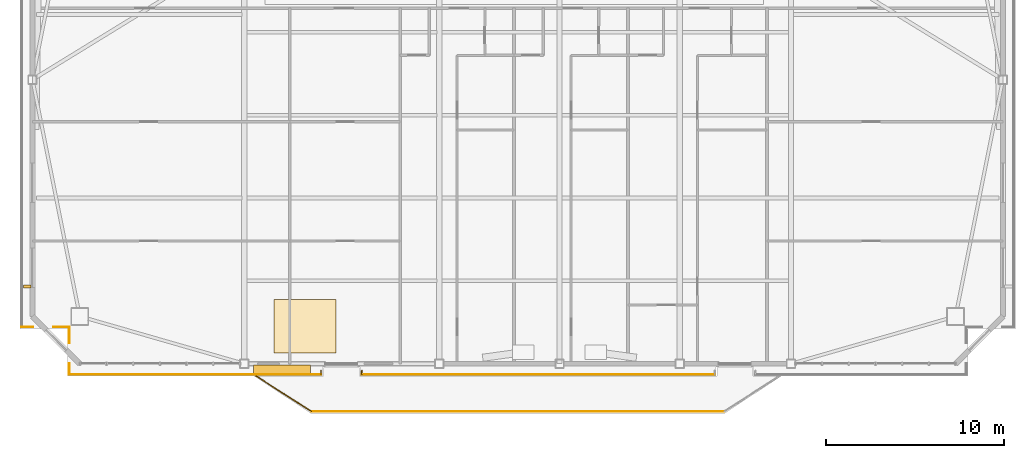
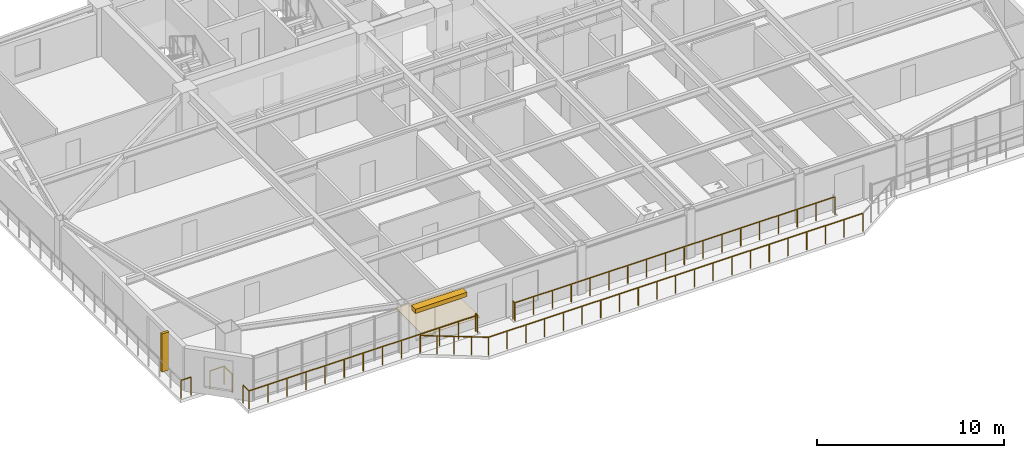
# One storey, part 14 of 19: 10 railings, 2 shading devices, 1 covering.
"""IFC4 building model written with IfcOpenShell, lengths in metres."""

from ifc_helpers import new_model, si_unit, direction, frame, origin, origin_2d, place, context, subcontext, project, spatial, polyline, rectangle, outline, extrude, source, transform, mapped, material, layer, layer_set, type_object, element, save


model = new_model("IFC4")

# Units and contexts
model_context = context("Model", 3, precision=1e-05, world=origin(), true_north=direction((0.0, 1.0)))
body_context = subcontext(model_context, "Body", "Model", "MODEL_VIEW")
ifc_project = project(units=[si_unit("LENGTHUNIT", "METRE"), si_unit("AREAUNIT", "SQUARE_METRE"), si_unit("VOLUMEUNIT", "CUBIC_METRE"), si_unit("PLANEANGLEUNIT", "RADIAN"), si_unit("MASSUNIT", "GRAM", prefix="KILO")], contexts=[model_context])

# Site, building, storey
site_placement = place(None, origin())
site = spatial("IfcSite", under=ifc_project, at=site_placement, CompositionType="ELEMENT")
building_placement = place(site_placement, origin())
building = spatial("IfcBuilding", under=site, at=building_placement, Name="Giltprow Tower", CompositionType="ELEMENT")
storey_placement = place(building_placement, frame((0.0, 0.0, 241.699951171875)))
storey = spatial("IfcBuildingStorey", under=building, at=storey_placement, Name="L61", CompositionType="ELEMENT", Elevation=241.699951171875)

# Covering
ifc_material_1 = material(Name="Engineered oak", Category="wood")
ifc_layer = layer(ifc_material_1, 0.02490234375, Name="Engineered oak")
ifc_layer_set = layer_set([ifc_layer], Name="Engineered oak")
covering_type = type_object("IfcCoveringType", Name="COV-FLR-TIMBER", PredefinedType="FLOORING", material=ifc_layer_set)
covering_placement = place(storey_placement, origin())
element("IfcCovering", 1, at=covering_placement, inside=storey, type_object=covering_type, Name="L61 Residence Oak Parquet Flooring", PredefinedType="FLOORING", context=body_context, shape_type="SweptSolid", body=[
    extrude(outline(polyline([(21.5, 14.781982421875), (25.0, 14.781982421875), (25.0, 17.781982421875), (21.5, 17.781982421875), (21.5, 14.781982421875)])), origin(), (0.0, 0.0, 1.0), 0.025146484375),
])

# Railings
ifc_material_2 = material(Name="Anodized bronze", Category="metal")
railing_type = type_object("IfcRailingType", Name="RAIL-BALC-GUARD-1200", PredefinedType="BALUSTRADE", material=ifc_material_2)
railing_1_placement = place(storey_placement, frame((20.52001953125, 13.48193359375, 0.0)))
element("IfcRailing", 2, at=railing_1_placement, inside=storey, type_object=railing_type, Name="L61 Waterfront Balcony Balustrade Seg 1", PredefinedType="BALUSTRADE", context=body_context, shape_type="SweptSolid", body=[
    extrude(rectangle(XDim=0.048095703125, YDim=0.048095703125, at=origin_2d()), frame((0.0, 0.0, 1.17578125), z_axis=(0.84277487735, -0.538266203757, 0.0), x_axis=(0.538266203757, 0.84277487735, 0.0)), (0.0, 0.0, 1.0), 3.678466796875),
    extrude(rectangle(XDim=0.0419921875, YDim=0.0419921875, at=origin_2d()), origin(), (0.0, 0.0, 1.0), 1.15185546875),
    extrude(rectangle(XDim=0.0419921875, YDim=0.0419921875, at=origin_2d()), frame((0.77490234375, -0.4951171875, 0.0)), (0.0, 0.0, 1.0), 1.15185546875),
    extrude(rectangle(XDim=0.0419921875, YDim=0.0419921875, at=origin_2d()), frame((1.550048828125, -0.989990234375, 0.0)), (0.0, 0.0, 1.0), 1.15185546875),
    extrude(rectangle(XDim=0.0419921875, YDim=0.0419921875, at=origin_2d()), frame((2.3251953125, -1.48486328125, 0.0)), (0.0, 0.0, 1.0), 1.15185546875),
    extrude(rectangle(XDim=0.0419921875, YDim=0.0419921875, at=origin_2d()), frame((3.10009765625, -1.97998046875, 0.0)), (0.0, 0.0, 1.0), 1.15185546875),
])
railing_2_placement = place(storey_placement, frame((23.6201171875, 11.501953125, 0.0)))
element("IfcRailing", 3, at=railing_2_placement, inside=storey, type_object=railing_type, Name="L61 Waterfront Balcony Balustrade Seg 2", PredefinedType="BALUSTRADE", context=body_context, shape_type="SweptSolid", body=[
    extrude(rectangle(XDim=0.048095703125, YDim=0.048095703125, at=origin_2d()), frame((0.0, 0.0, 1.17578125), z_axis=(1.0, 0.0, 0.0), x_axis=(0.0, 1.0, 0.0)), (0.0, 0.0, 1.0), 23.159912109375),
    extrude(rectangle(XDim=0.0419921875, YDim=0.0419921875, at=origin_2d()), origin(), (0.0, 0.0, 1.0), 1.15185546875),
    extrude(rectangle(XDim=0.0419921875, YDim=0.0419921875, at=origin_2d()), frame((1.157958984375, 0.0, 0.0)), (0.0, 0.0, 1.0), 1.15185546875),
    extrude(rectangle(XDim=0.0419921875, YDim=0.0419921875, at=origin_2d()), frame((2.31591796875, 0.0, 0.0)), (0.0, 0.0, 1.0), 1.15185546875),
    extrude(rectangle(XDim=0.0419921875, YDim=0.0419921875, at=origin_2d()), frame((3.473876953125, 0.0, 0.0)), (0.0, 0.0, 1.0), 1.15185546875),
    extrude(rectangle(XDim=0.0419921875, YDim=0.0419921875, at=origin_2d()), frame((4.632080078125, 0.0, 0.0)), (0.0, 0.0, 1.0), 1.15185546875),
    extrude(rectangle(XDim=0.0419921875, YDim=0.0419921875, at=origin_2d()), frame((5.7900390625, 0.0, 0.0)), (0.0, 0.0, 1.0), 1.15185546875),
    extrude(rectangle(XDim=0.0419921875, YDim=0.0419921875, at=origin_2d()), frame((6.947998046875, 0.0, 0.0)), (0.0, 0.0, 1.0), 1.15185546875),
    extrude(rectangle(XDim=0.0419921875, YDim=0.0419921875, at=origin_2d()), frame((8.10595703125, 0.0, 0.0)), (0.0, 0.0, 1.0), 1.15185546875),
    extrude(rectangle(XDim=0.0419921875, YDim=0.0419921875, at=origin_2d()), frame((9.263916015625, 0.0, 0.0)), (0.0, 0.0, 1.0), 1.15185546875),
    extrude(rectangle(XDim=0.0419921875, YDim=0.0419921875, at=origin_2d()), frame((10.421875, 0.0, 0.0)), (0.0, 0.0, 1.0), 1.15185546875),
    extrude(rectangle(XDim=0.0419921875, YDim=0.0419921875, at=origin_2d()), frame((11.580078125, 0.0, 0.0)), (0.0, 0.0, 1.0), 1.15185546875),
    extrude(rectangle(XDim=0.0419921875, YDim=0.0419921875, at=origin_2d()), frame((12.738037109375, 0.0, 0.0)), (0.0, 0.0, 1.0), 1.15185546875),
    extrude(rectangle(XDim=0.0419921875, YDim=0.0419921875, at=origin_2d()), frame((13.89599609375, 0.0, 0.0)), (0.0, 0.0, 1.0), 1.15185546875),
    extrude(rectangle(XDim=0.0419921875, YDim=0.0419921875, at=origin_2d()), frame((15.053955078125, 0.0, 0.0)), (0.0, 0.0, 1.0), 1.15185546875),
    extrude(rectangle(XDim=0.0419921875, YDim=0.0419921875, at=origin_2d()), frame((16.2119140625, 0.0, 0.0)), (0.0, 0.0, 1.0), 1.15185546875),
    extrude(rectangle(XDim=0.0419921875, YDim=0.0419921875, at=origin_2d()), frame((17.369873046875, 0.0, 0.0)), (0.0, 0.0, 1.0), 1.15185546875),
    extrude(rectangle(XDim=0.0419921875, YDim=0.0419921875, at=origin_2d()), frame((18.52783203125, 0.0, 0.0)), (0.0, 0.0, 1.0), 1.15185546875),
    extrude(rectangle(XDim=0.0419921875, YDim=0.0419921875, at=origin_2d()), frame((19.68603515625, 0.0, 0.0)), (0.0, 0.0, 1.0), 1.15185546875),
    extrude(rectangle(XDim=0.0419921875, YDim=0.0419921875, at=origin_2d()), frame((20.843994140625, 0.0, 0.0)), (0.0, 0.0, 1.0), 1.15185546875),
    extrude(rectangle(XDim=0.0419921875, YDim=0.0419921875, at=origin_2d()), frame((22.001953125, 0.0, 0.0)), (0.0, 0.0, 1.0), 1.15185546875),
    extrude(rectangle(XDim=0.0419921875, YDim=0.0419921875, at=origin_2d()), frame((23.159912109375, 0.0, 0.0)), (0.0, 0.0, 1.0), 1.15185546875),
])
railing_3_placement = place(storey_placement, frame((46.25, 13.58203125, 0.0)))
element("IfcRailing", 4, at=railing_3_placement, inside=storey, type_object=railing_type, Name="L61 Corner Apron Edge Balustrade 9", PredefinedType="BALUSTRADE", context=body_context, shape_type="SweptSolid", body=[
    extrude(rectangle(XDim=0.048095703125, YDim=0.048095703125, at=origin_2d()), frame((0.0, 0.0, 1.17578125), z_axis=(-1.0, 0.0, 0.0), x_axis=(0.0, -1.0, 0.0)), (0.0, 0.0, 1.0), 19.800048828125),
    extrude(rectangle(XDim=0.0419921875, YDim=0.0419921875, at=origin_2d()), origin(), (0.0, 0.0, 1.0), 1.15185546875),
    extrude(rectangle(XDim=0.0419921875, YDim=0.0419921875, at=origin_2d()), frame((-1.164794921875, 0.0, 0.0)), (0.0, 0.0, 1.0), 1.15185546875),
    extrude(rectangle(XDim=0.0419921875, YDim=0.0419921875, at=origin_2d()), frame((-2.329345703125, 0.0, 0.0)), (0.0, 0.0, 1.0), 1.15185546875),
    extrude(rectangle(XDim=0.0419921875, YDim=0.0419921875, at=origin_2d()), frame((-3.494140625, 0.0, 0.0)), (0.0, 0.0, 1.0), 1.15185546875),
    extrude(rectangle(XDim=0.0419921875, YDim=0.0419921875, at=origin_2d()), frame((-4.658935546875, 0.0, 0.0)), (0.0, 0.0, 1.0), 1.15185546875),
    extrude(rectangle(XDim=0.0419921875, YDim=0.0419921875, at=origin_2d()), frame((-5.823486328125, 0.0, 0.0)), (0.0, 0.0, 1.0), 1.15185546875),
    extrude(rectangle(XDim=0.0419921875, YDim=0.0419921875, at=origin_2d()), frame((-6.98828125, 0.0, 0.0)), (0.0, 0.0, 1.0), 1.15185546875),
    extrude(rectangle(XDim=0.0419921875, YDim=0.0419921875, at=origin_2d()), frame((-8.153076171875, 0.0, 0.0)), (0.0, 0.0, 1.0), 1.15185546875),
    extrude(rectangle(XDim=0.0419921875, YDim=0.0419921875, at=origin_2d()), frame((-9.317626953125, 0.0, 0.0)), (0.0, 0.0, 1.0), 1.15185546875),
    extrude(rectangle(XDim=0.0419921875, YDim=0.0419921875, at=origin_2d()), frame((-10.482421875, 0.0, 0.0)), (0.0, 0.0, 1.0), 1.15185546875),
    extrude(rectangle(XDim=0.0419921875, YDim=0.0419921875, at=origin_2d()), frame((-11.64697265625, 0.0, 0.0)), (0.0, 0.0, 1.0), 1.15185546875),
    extrude(rectangle(XDim=0.0419921875, YDim=0.0419921875, at=origin_2d()), frame((-12.811767578125, 0.0, 0.0)), (0.0, 0.0, 1.0), 1.15185546875),
    extrude(rectangle(XDim=0.0419921875, YDim=0.0419921875, at=origin_2d()), frame((-13.9765625, 0.0, 0.0)), (0.0, 0.0, 1.0), 1.15185546875),
    extrude(rectangle(XDim=0.0419921875, YDim=0.0419921875, at=origin_2d()), frame((-15.14111328125, 0.0, 0.0)), (0.0, 0.0, 1.0), 1.15185546875),
    extrude(rectangle(XDim=0.0419921875, YDim=0.0419921875, at=origin_2d()), frame((-16.305908203125, 0.0, 0.0)), (0.0, 0.0, 1.0), 1.15185546875),
    extrude(rectangle(XDim=0.0419921875, YDim=0.0419921875, at=origin_2d()), frame((-17.470703125, 0.0, 0.0)), (0.0, 0.0, 1.0), 1.15185546875),
    extrude(rectangle(XDim=0.0419921875, YDim=0.0419921875, at=origin_2d()), frame((-18.63525390625, 0.0, 0.0)), (0.0, 0.0, 1.0), 1.15185546875),
    extrude(rectangle(XDim=0.0419921875, YDim=0.0419921875, at=origin_2d()), frame((-19.800048828125, 0.0, 0.0)), (0.0, 0.0, 1.0), 1.15185546875),
])
railing_4_placement = place(storey_placement, frame((26.449951171875, 13.58203125, 0.0)))
element("IfcRailing", 5, at=railing_4_placement, inside=storey, type_object=railing_type, Name="L61 Corner Apron Edge Balustrade 10", PredefinedType="BALUSTRADE", context=body_context, shape_type="SweptSolid", body=[
    extrude(rectangle(XDim=0.048095703125, YDim=0.048095703125, at=origin_2d()), frame((0.0, 0.0, 1.17578125), z_axis=(0.0, 1.0, 0.0), x_axis=(-1.0, 0.0, 0.0)), (0.0, 0.0, 1.0), 0.199951171875),
    extrude(rectangle(XDim=0.0419921875, YDim=0.0419921875, at=origin_2d()), origin(), (0.0, 0.0, 1.0), 1.15185546875),
    extrude(rectangle(XDim=0.0419921875, YDim=0.0419921875, at=origin_2d()), frame((0.0, 0.199951171875, 0.0)), (0.0, 0.0, 1.0), 1.15185546875),
])
railing_5_placement = place(storey_placement, frame((24.14990234375, 13.781982421875, 0.0)))
element("IfcRailing", 6, at=railing_5_placement, inside=storey, type_object=railing_type, Name="L61 Corner Apron Edge Balustrade 11", PredefinedType="BALUSTRADE", context=body_context, shape_type="SweptSolid", body=[
    extrude(rectangle(XDim=0.048095703125, YDim=0.048095703125, at=origin_2d()), frame((0.0, 0.0, 1.17578125), z_axis=(0.0, -1.0, 0.0), x_axis=(1.0, 0.0, 0.0)), (0.0, 0.0, 1.0), 0.199951171875),
    extrude(rectangle(XDim=0.0419921875, YDim=0.0419921875, at=origin_2d()), origin(), (0.0, 0.0, 1.0), 1.15185546875),
    extrude(rectangle(XDim=0.0419921875, YDim=0.0419921875, at=origin_2d()), frame((0.0, -0.199951171875, 0.0)), (0.0, 0.0, 1.0), 1.15185546875),
])
railing_6_placement = place(storey_placement, frame((24.14990234375, 13.58203125, 0.0)))
element("IfcRailing", 7, at=railing_6_placement, inside=storey, type_object=railing_type, Name="L61 Corner Apron Edge Balustrade 12", PredefinedType="BALUSTRADE", context=body_context, shape_type="SweptSolid", body=[
    extrude(rectangle(XDim=0.048095703125, YDim=0.048095703125, at=origin_2d()), frame((0.0, 0.0, 1.17578125), z_axis=(-1.0, 0.0, 0.0), x_axis=(0.0, -1.0, 0.0)), (0.0, 0.0, 1.0), 14.140869140625),
    extrude(rectangle(XDim=0.0419921875, YDim=0.0419921875, at=origin_2d()), origin(), (0.0, 0.0, 1.0), 1.15185546875),
    extrude(rectangle(XDim=0.0419921875, YDim=0.0419921875, at=origin_2d()), frame((-1.178466796875, 0.0, 0.0)), (0.0, 0.0, 1.0), 1.15185546875),
    extrude(rectangle(XDim=0.0419921875, YDim=0.0419921875, at=origin_2d()), frame((-2.35693359375, 0.0, 0.0)), (0.0, 0.0, 1.0), 1.15185546875),
    extrude(rectangle(XDim=0.0419921875, YDim=0.0419921875, at=origin_2d()), frame((-3.53515625, 0.0, 0.0)), (0.0, 0.0, 1.0), 1.15185546875),
    extrude(rectangle(XDim=0.0419921875, YDim=0.0419921875, at=origin_2d()), frame((-4.713623046875, 0.0, 0.0)), (0.0, 0.0, 1.0), 1.15185546875),
    extrude(rectangle(XDim=0.0419921875, YDim=0.0419921875, at=origin_2d()), frame((-5.89208984375, 0.0, 0.0)), (0.0, 0.0, 1.0), 1.15185546875),
    extrude(rectangle(XDim=0.0419921875, YDim=0.0419921875, at=origin_2d()), frame((-7.0703125, 0.0, 0.0)), (0.0, 0.0, 1.0), 1.15185546875),
    extrude(rectangle(XDim=0.0419921875, YDim=0.0419921875, at=origin_2d()), frame((-8.248779296875, 0.0, 0.0)), (0.0, 0.0, 1.0), 1.15185546875),
    extrude(rectangle(XDim=0.0419921875, YDim=0.0419921875, at=origin_2d()), frame((-9.42724609375, 0.0, 0.0)), (0.0, 0.0, 1.0), 1.15185546875),
    extrude(rectangle(XDim=0.0419921875, YDim=0.0419921875, at=origin_2d()), frame((-10.605712890625, 0.0, 0.0)), (0.0, 0.0, 1.0), 1.15185546875),
    extrude(rectangle(XDim=0.0419921875, YDim=0.0419921875, at=origin_2d()), frame((-11.7841796875, 0.0, 0.0)), (0.0, 0.0, 1.0), 1.15185546875),
    extrude(rectangle(XDim=0.0419921875, YDim=0.0419921875, at=origin_2d()), frame((-12.96240234375, 0.0, 0.0)), (0.0, 0.0, 1.0), 1.15185546875),
    extrude(rectangle(XDim=0.0419921875, YDim=0.0419921875, at=origin_2d()), frame((-14.140869140625, 0.0, 0.0)), (0.0, 0.0, 1.0), 1.15185546875),
])
railing_7_placement = place(storey_placement, frame((10.009033203125, 13.58203125, 0.0)))
element("IfcRailing", 8, at=railing_7_placement, inside=storey, type_object=railing_type, Name="L61 Corner Apron Edge Balustrade 13", PredefinedType="BALUSTRADE", context=body_context, shape_type="SweptSolid", body=[
    extrude(rectangle(XDim=0.048095703125, YDim=0.048095703125, at=origin_2d()), frame((0.0, 0.0, 1.17578125), z_axis=(0.0, 1.0, 0.0), x_axis=(-1.0, 0.0, 0.0)), (0.0, 0.0, 1.0), 0.619873046875),
    extrude(rectangle(XDim=0.0419921875, YDim=0.0419921875, at=origin_2d()), origin(), (0.0, 0.0, 1.0), 1.15185546875),
    extrude(rectangle(XDim=0.0419921875, YDim=0.0419921875, at=origin_2d()), frame((0.0, 0.619873046875, 0.0)), (0.0, 0.0, 1.0), 1.15185546875),
])
railing_8_placement = place(storey_placement, frame((10.009033203125, 15.362060546875, 0.0)))
element("IfcRailing", 9, at=railing_8_placement, inside=storey, type_object=railing_type, Name="L61 Corner Apron Edge Balustrade 14", PredefinedType="BALUSTRADE", context=body_context, shape_type="SweptSolid", body=[
    extrude(rectangle(XDim=0.048095703125, YDim=0.048095703125, at=origin_2d()), frame((0.0, 0.0, 1.17578125), z_axis=(0.0, 1.0, 0.0), x_axis=(-1.0, 0.0, 0.0)), (0.0, 0.0, 1.0), 0.880859375),
    extrude(rectangle(XDim=0.0419921875, YDim=0.0419921875, at=origin_2d()), origin(), (0.0, 0.0, 1.0), 1.15185546875),
    extrude(rectangle(XDim=0.0419921875, YDim=0.0419921875, at=origin_2d()), frame((0.0, 0.880859375, 0.0)), (0.0, 0.0, 1.0), 1.15185546875),
])
railing_9_placement = place(storey_placement, frame((10.009033203125, 16.242919921875, 0.0)))
element("IfcRailing", 10, at=railing_9_placement, inside=storey, type_object=railing_type, Name="L61 Corner Apron Edge Balustrade 15", PredefinedType="BALUSTRADE", context=body_context, shape_type="SweptSolid", body=[
    extrude(rectangle(XDim=0.048095703125, YDim=0.048095703125, at=origin_2d()), frame((0.0, 0.0, 1.17578125), z_axis=(-1.0, 0.0, 0.0), x_axis=(0.0, -1.0, 0.0)), (0.0, 0.0, 1.0), 0.881103515625),
    extrude(rectangle(XDim=0.0419921875, YDim=0.0419921875, at=origin_2d()), origin(), (0.0, 0.0, 1.0), 1.15185546875),
    extrude(rectangle(XDim=0.0419921875, YDim=0.0419921875, at=origin_2d()), frame((-0.881103515625, 0.0, 0.0)), (0.0, 0.0, 1.0), 1.15185546875),
])
railing_10_placement = place(storey_placement, frame((7.968017578125, 16.242919921875, 0.0)))
element("IfcRailing", 11, at=railing_10_placement, inside=storey, type_object=railing_type, Name="L61 Corner Apron Edge Balustrade 16", PredefinedType="BALUSTRADE", context=body_context, shape_type="SweptSolid", body=[
    extrude(rectangle(XDim=0.048095703125, YDim=0.048095703125, at=origin_2d()), frame((0.0, 0.0, 1.17578125), z_axis=(-1.0, 0.0, 0.0), x_axis=(0.0, -1.0, 0.0)), (0.0, 0.0, 1.0), 0.6201171875),
    extrude(rectangle(XDim=0.0419921875, YDim=0.0419921875, at=origin_2d()), origin(), (0.0, 0.0, 1.0), 1.15185546875),
    extrude(rectangle(XDim=0.0419921875, YDim=0.0419921875, at=origin_2d()), frame((-0.6201171875, 0.0, 0.0)), (0.0, 0.0, 1.0), 1.15185546875),
])

# Shading devices
shading_device_type_1 = type_object("IfcShadingDeviceType", Name="SHD-FIN-420", PredefinedType="USERDEFINED", material=ifc_material_2)
shared_shape_1 = source(origin(), body_context, "Body", "SweptSolid", [
    extrude(rectangle(XDim=0.419921875, YDim=0.159912109375, at=origin_2d()), origin(), (0.0, 0.0, 1.0), 2.5),
])
shading_device_1_placement = place(storey_placement, frame((7.64794921875, 18.51806640625, 0.35009765625), z_axis=(0.0, 0.0, 1.0), x_axis=(1.0, 0.0, 0.0)))
element("IfcShadingDevice", 12, at=shading_device_1_placement, inside=storey, type_object=shading_device_type_1, Name="L61 W Bronze Vertical Fin 1-1", ObjectType="FIN", PredefinedType="USERDEFINED", context=body_context, shape_type="MappedRepresentation", body=[
    mapped(shared_shape_1, transform((0.0, 0.0, 0.0), x_axis=(1.0, 0.0, 0.0), y_axis=(0.0, 1.0, 0.0), z_axis=(0.0, 0.0, 1.0), scale=1.0)),
])
shading_device_type_2 = type_object("IfcShadingDeviceType", Name="SHD-LOUVRE-320", PredefinedType="JALOUSIE", material=ifc_material_2)
shared_shape_2 = source(origin(), body_context, "Body", "SweptSolid", [
    extrude(rectangle(XDim=3.199951171875, YDim=0.449951171875, at=origin_2d()), origin(), (0.0, 0.0, 1.0), 0.280029296875),
])
shading_device_2_placement = place(storey_placement, frame((21.949951171875, 13.882080078125, 2.56005859375), z_axis=(0.0, 0.0, 1.0), x_axis=(1.0, 0.0, 0.0)))
element("IfcShadingDevice", 13, at=shading_device_2_placement, inside=storey, type_object=shading_device_type_2, Name="L61 Bronze Sunshade Louvre S-2", PredefinedType="JALOUSIE", context=body_context, shape_type="MappedRepresentation", body=[
    mapped(shared_shape_2, transform((0.0, 0.0, 0.0), x_axis=(1.0, 0.0, 0.0), y_axis=(0.0, 1.0, 0.0), z_axis=(0.0, 0.0, 1.0), scale=1.0)),
])

save(model, "model.ifc")
